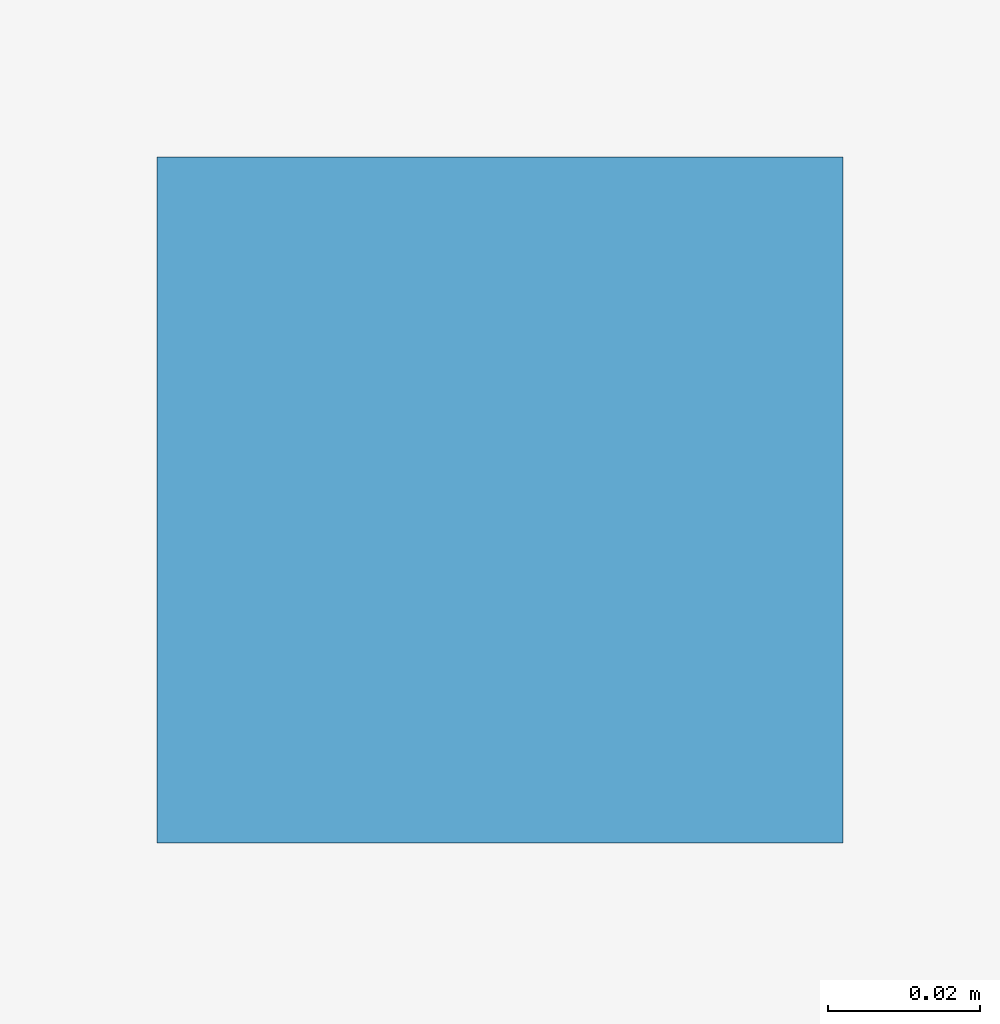
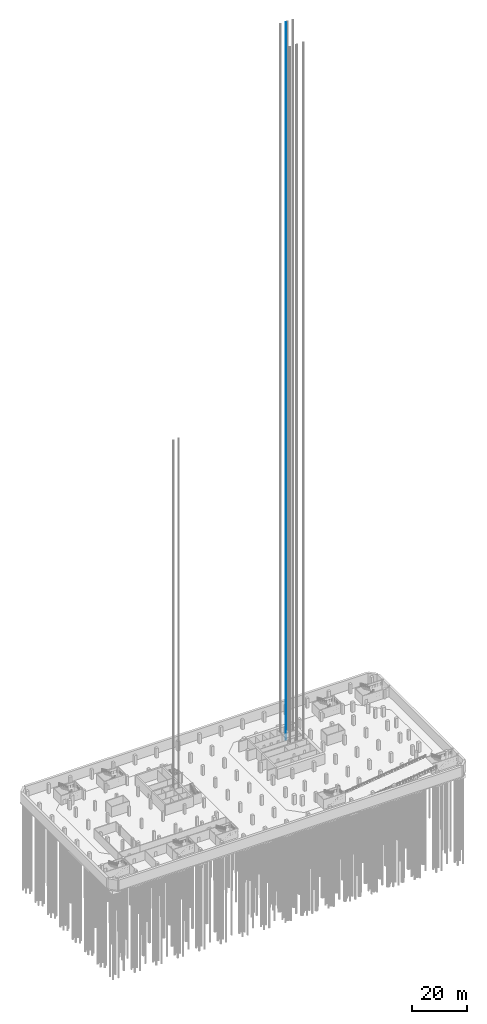
# One storey, part 13 of 30: 1 member.
"""IFC4 building model written with IfcOpenShell, lengths in metres."""

from ifc_helpers import new_model, si_unit, direction, frame, origin, origin_2d, place, context, subcontext, project, spatial, rectangle, extrude, material, material_profile, profile_set, type_object, element, save


model = new_model("IFC4")

# Units and contexts
model_context = context("Model", 3, precision=1e-05, world=origin(), true_north=direction((0.0, 1.0)))
body_context = subcontext(model_context, "Body", "Model", "MODEL_VIEW")
ifc_project = project(units=[si_unit("LENGTHUNIT", "METRE"), si_unit("AREAUNIT", "SQUARE_METRE"), si_unit("VOLUMEUNIT", "CUBIC_METRE"), si_unit("PLANEANGLEUNIT", "RADIAN"), si_unit("MASSUNIT", "GRAM", prefix="KILO")], contexts=[model_context])

# Site, building, storey
site_placement = place(None, origin())
site = spatial("IfcSite", under=ifc_project, at=site_placement, CompositionType="ELEMENT")
building_placement = place(site_placement, origin())
building = spatial("IfcBuilding", under=site, at=building_placement, Name="Cinnabar Reach Civic Tower", CompositionType="ELEMENT")
storey_placement = place(building_placement, frame((0.0, 0.0, -14.0)))
storey = spatial("IfcBuildingStorey", under=building, at=storey_placement, Name="B3", CompositionType="ELEMENT", Elevation=-14.0)

# Member
ifc_material = material(Name="Steel Q355B", Category="steel")
ifc_material_profile = material_profile(ifc_material, rectangle(XDim=0.09, YDim=0.09, at=origin_2d()), Name="T1 lift guide rail")
ifc_profile_set = profile_set([ifc_material_profile], Name="Steel Q355B")
member_type = type_object("IfcMemberType", Name="T1 lift guide rail", PredefinedType="USERDEFINED", material=ifc_profile_set)
member_placement = place(storey_placement, frame((19.13, 40.25, 0.0), z_axis=(0.0, 0.0, 1.0), x_axis=(1.0, 0.0, 0.0)))
element("IfcMember", 1, at=member_placement, inside=storey, type_object=member_type, Name="T1-FF1 guide rail 2", ObjectType="GUIDE RAIL", PredefinedType="USERDEFINED", context=body_context, shape_type="SweptSolid", body=[
    extrude(rectangle(XDim=0.09, YDim=0.09, at=origin_2d()), origin(), (0.0, 0.0, 1.0), 316.7),
])

save(model, "model.ifc")
